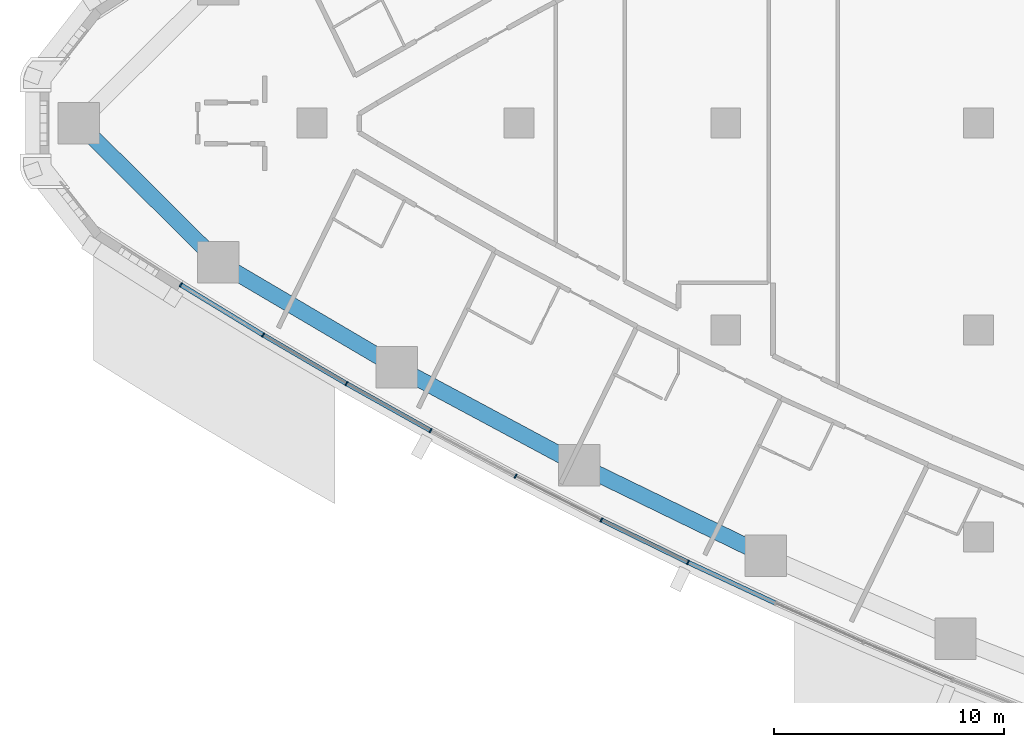
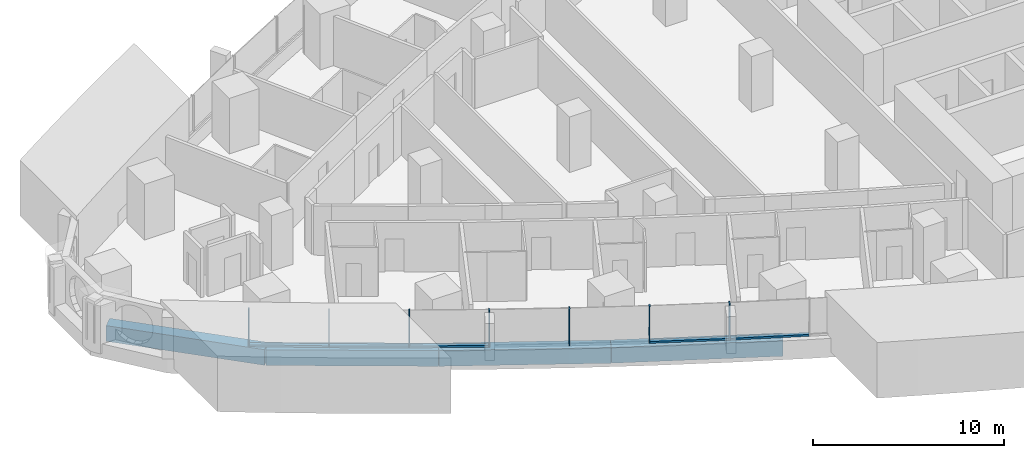
# One storey, part 2 of 19: 12 members, 4 beams, 3 elements without a shape of their own.
"""IFC4 building model written with IfcOpenShell, lengths in metres."""

from ifc_helpers import new_model, si_unit, direction, frame, origin, origin_2d, place, context, subcontext, project, spatial, rectangle, extrude, material, layer, layer_set, material_profile, profile_set, type_object, element, aggregate, save


model = new_model("IFC4")

# Units and contexts
model_context = context("Model", 3, precision=1e-05, world=origin(), true_north=direction((0.0, 1.0)))
body_context = subcontext(model_context, "Body", "Model", "MODEL_VIEW")
ifc_project = project(units=[si_unit("LENGTHUNIT", "METRE"), si_unit("AREAUNIT", "SQUARE_METRE"), si_unit("VOLUMEUNIT", "CUBIC_METRE"), si_unit("PLANEANGLEUNIT", "RADIAN"), si_unit("MASSUNIT", "GRAM", prefix="KILO")], contexts=[model_context])

# Site, building, storey
site_placement = place(None, origin())
site = spatial("IfcSite", under=ifc_project, at=site_placement, CompositionType="ELEMENT")
building_placement = place(site_placement, origin())
building = spatial("IfcBuilding", under=site, at=building_placement, Name="Ostrand Prow Hotel Tower", CompositionType="ELEMENT")
storey_placement = place(building_placement, frame((0.0, 0.0, 71.550048828125)))
storey = spatial("IfcBuildingStorey", under=building, at=storey_placement, Name="L16", CompositionType="ELEMENT", Elevation=71.550048828125)

# Beams
ifc_material_1 = material(Name="Concrete C80/95", Category="concrete")
ifc_material_profile_1 = material_profile(ifc_material_1, rectangle(XDim=0.699951171875, YDim=1.0, at=origin_2d()), Name="RC 700x1000")
ifc_profile_set_1 = profile_set([ifc_material_profile_1], Name="Concrete C80/95")
beam_type = type_object("IfcBeamType", Name="Edge beam 700x1000 C80/95", PredefinedType="SPANDREL", material=ifc_profile_set_1)
beam_1_placement = place(storey_placement, frame((5.848388671875, 0.0, -0.800048828125), z_axis=(0.709211674915, -0.70499560294, 0.0), x_axis=(0.70499560294, 0.709211674915, 0.0)))
element("IfcBeam", 1, at=beam_1_placement, inside=storey, type_object=beam_type, Name="Edge beam P-S1", PredefinedType="SPANDREL", context=body_context, shape_type="SweptSolid", body=[
    extrude(rectangle(XDim=0.699951171875, YDim=1.0, at=origin_2d()), origin(), (0.0, 0.0, 1.0), 8.5703125),
])
beam_2_placement = place(storey_placement, frame((11.926513671875, -6.0419921875, -0.800048828125), z_axis=(0.861725230108, -0.507375233722, 0.0), x_axis=(0.507375233722, 0.861725230108, 0.0)))
element("IfcBeam", 2, at=beam_2_placement, inside=storey, type_object=beam_type, Name="Edge beam S1-S2", PredefinedType="SPANDREL", context=body_context, shape_type="SweptSolid", body=[
    extrude(rectangle(XDim=0.699951171875, YDim=1.0, at=origin_2d()), origin(), (0.0, 0.0, 1.0), 9.012451171875),
])
beam_3_placement = place(storey_placement, frame((19.69287109375, -10.61474609375, -0.800048828125), z_axis=(0.881270074696, -0.472613008122, 0.0), x_axis=(0.472613008122, 0.881270074696, 0.0)))
element("IfcBeam", 3, at=beam_3_placement, inside=storey, type_object=beam_type, Name="Edge beam S2-S3", PredefinedType="SPANDREL", context=body_context, shape_type="SweptSolid", body=[
    extrude(rectangle(XDim=0.699951171875, YDim=1.0, at=origin_2d()), origin(), (0.0, 0.0, 1.0), 9.0126953125),
])
beam_4_placement = place(storey_placement, frame((27.635498046875, -14.874267578125, -0.800048828125), z_axis=(0.899382499202, -0.437162578601, 0.0), x_axis=(0.437162578601, 0.899382499202, 0.0)))
element("IfcBeam", 4, at=beam_4_placement, inside=storey, type_object=beam_type, Name="Edge beam S3-S4", PredefinedType="SPANDREL", context=body_context, shape_type="SweptSolid", body=[
    extrude(rectangle(XDim=0.699951171875, YDim=1.0, at=origin_2d()), origin(), (0.0, 0.0, 1.0), 9.012451171875),
])

# Curtain wall, members
ifc_material_2 = material(Name="Insulated glass in bronze anodised frame", Category="glass")
ifc_layer = layer(ifc_material_2, 0.199951171875)
ifc_layer_set = layer_set([ifc_layer], Name="Insulated glass in bronze anodised frame")
curtain_wall_type = type_object("IfcCurtainWallType", Name="Strip curtain wall, fritted glass over bronze spandrel", PredefinedType="NOTDEFINED", material=ifc_layer_set)
curtain_wall_1_placement = place(storey_placement, origin())
curtain_wall_1 = element("IfcCurtainWall", 5, at=curtain_wall_1_placement, inside=storey, type_object=curtain_wall_type, Name="CW1 run CWS1", PredefinedType="NOTDEFINED")
ifc_material_3 = material(Name="Bronze anodised aluminium", Category="aluminium")
ifc_material_profile_2 = material_profile(ifc_material_3, rectangle(XDim=0.199951171875, YDim=0.06005859375, at=origin_2d()), Name="Mullion 60x200 bronze anodised aluminium")
ifc_profile_set_2 = profile_set([ifc_material_profile_2], Name="Bronze anodised aluminium")
member_type_1 = type_object("IfcMemberType", Name="Mullion 60x200 bronze anodised aluminium", PredefinedType="MULLION", material=ifc_profile_set_2)
member_1_placement = place(storey_placement, frame((10.29443359375, -7.031494140625, 0.89990234375), z_axis=(0.0, 0.0, 1.0), x_axis=(0.519830761515, 0.854269266322, 0.0)))
member_1 = element("IfcMember", 6, at=member_1_placement, type_object=member_type_1, Name="CW1 mullion 1", PredefinedType="MULLION", context=body_context, shape_type="SweptSolid", body=[
    extrude(rectangle(XDim=0.199951171875, YDim=0.06005859375, at=origin_2d()), origin(), (0.0, 0.0, 1.0), 2.35009765625),
])
member_2_placement = place(storey_placement, frame((13.87744140625, -9.2119140625, 0.89990234375), z_axis=(0.0, 0.0, 1.0), x_axis=(0.50402272292, 0.863690392896, 0.0)))
member_2 = element("IfcMember", 7, at=member_2_placement, type_object=member_type_1, Name="CW1 mullion 2", PredefinedType="MULLION", context=body_context, shape_type="SweptSolid", body=[
    extrude(rectangle(XDim=0.199951171875, YDim=0.06005859375, at=origin_2d()), origin(), (0.0, 0.0, 1.0), 2.35009765625),
])
member_3_placement = place(storey_placement, frame((17.5, -11.325927734375, 0.89990234375), z_axis=(0.0, 0.0, 1.0), x_axis=(0.50402272292, 0.863690392896, 0.0)))
member_3 = element("IfcMember", 8, at=member_3_placement, type_object=member_type_1, Name="CW1 mullion 3", PredefinedType="MULLION", context=body_context, shape_type="SweptSolid", body=[
    extrude(rectangle(XDim=0.199951171875, YDim=0.06005859375, at=origin_2d()), origin(), (0.0, 0.0, 1.0), 2.35009765625),
])

curtain_wall_2_placement = place(storey_placement, origin())
curtain_wall_2 = element("IfcCurtainWall", 9, at=curtain_wall_2_placement, inside=storey, type_object=curtain_wall_type, Name="CW1 run CWS2", PredefinedType="NOTDEFINED")
member_4_placement = place(storey_placement, frame((21.160888671875, -13.372802734375, 0.89990234375), z_axis=(0.0, 0.0, 1.0), x_axis=(0.471899992481, 0.881652083929, 0.0)))
member_4 = element("IfcMember", 10, at=member_4_placement, type_object=member_type_1, Name="CW1 mullion 2", PredefinedType="MULLION", context=body_context, shape_type="SweptSolid", body=[
    extrude(rectangle(XDim=0.199951171875, YDim=0.06005859375, at=origin_2d()), origin(), (0.0, 0.0, 1.0), 2.35009765625),
])
member_5_placement = place(storey_placement, frame((24.858642578125, -15.35205078125, 0.89990234375), z_axis=(0.0, 0.0, 1.0), x_axis=(0.455596179055, 0.890186565631, 0.0)))
member_5 = element("IfcMember", 11, at=member_5_placement, type_object=member_type_1, Name="CW1 mullion 3", PredefinedType="MULLION", context=body_context, shape_type="SweptSolid", body=[
    extrude(rectangle(XDim=0.199951171875, YDim=0.06005859375, at=origin_2d()), origin(), (0.0, 0.0, 1.0), 2.35009765625),
])
member_6_placement = place(storey_placement, frame((28.59228515625, -17.262939453125, 0.89990234375), z_axis=(0.0, 0.0, 1.0), x_axis=(0.455596179055, 0.890186565631, 0.0)))
member_6 = element("IfcMember", 12, at=member_6_placement, type_object=member_type_1, Name="CW1 mullion 4", PredefinedType="MULLION", context=body_context, shape_type="SweptSolid", body=[
    extrude(rectangle(XDim=0.199951171875, YDim=0.06005859375, at=origin_2d()), origin(), (0.0, 0.0, 1.0), 2.35009765625),
])

# Curtain wall, member
curtain_wall_3_placement = place(storey_placement, origin())
curtain_wall_3 = element("IfcCurtainWall", 13, at=curtain_wall_3_placement, inside=storey, type_object=curtain_wall_type, Name="CW1 run CWS3", PredefinedType="NOTDEFINED")
member_7_placement = place(storey_placement, frame((32.360595703125, -19.10498046875, 0.89990234375), z_axis=(0.0, 0.0, 1.0), x_axis=(0.422529678615, 0.906349088757, 0.0)))
member_7 = element("IfcMember", 14, at=member_7_placement, type_object=member_type_1, Name="CW1 mullion 2", PredefinedType="MULLION", context=body_context, shape_type="SweptSolid", body=[
    extrude(rectangle(XDim=0.199951171875, YDim=0.06005859375, at=origin_2d()), origin(), (0.0, 0.0, 1.0), 2.35009765625),
])

# Member
ifc_material_4 = material(Name="Bronze anodised aluminium", Category="aluminium")
ifc_material_profile_3 = material_profile(ifc_material_4, rectangle(XDim=0.199951171875, YDim=0.1201171875, at=origin_2d()), Name="Transom 120x200 bronze anodised aluminium")
ifc_profile_set_3 = profile_set([ifc_material_profile_3], Name="Bronze anodised aluminium")
member_type_2 = type_object("IfcMemberType", Name="Transom 120x200 bronze anodised aluminium", PredefinedType="USERDEFINED", material=ifc_profile_set_3)
member_8_placement = place(storey_placement, frame((10.320068359375, -7.047119140625, 0.9599609375), z_axis=(0.8542612678, -0.519843905741, 0.0), x_axis=(0.519843905741, 0.8542612678, 0.0)))
member_8 = element("IfcMember", 15, at=member_8_placement, type_object=member_type_2, Name="CW1 transom 1.1", ObjectType="TRANSOM", PredefinedType="USERDEFINED", context=body_context, shape_type="SweptSolid", body=[
    extrude(rectangle(XDim=0.199951171875, YDim=0.1201171875, at=origin_2d()), origin(), (0.0, 0.0, 1.0), 4.13427734375),
])

member_9_placement = place(storey_placement, frame((13.9033203125, -9.22705078125, 0.9599609375), z_axis=(0.863697501622, -0.504010541251, 0.0), x_axis=(0.504010541251, 0.863697501622, 0.0)))
member_9 = element("IfcMember", 16, at=member_9_placement, type_object=member_type_2, Name="CW1 transom 2.1", ObjectType="TRANSOM", PredefinedType="USERDEFINED", context=body_context, shape_type="SweptSolid", body=[
    extrude(rectangle(XDim=0.199951171875, YDim=0.1201171875, at=origin_2d()), origin(), (0.0, 0.0, 1.0), 4.13427734375),
])

aggregate(curtain_wall_1, [member_1, member_2, member_3, member_8, member_9])

member_10_placement = place(storey_placement, frame((17.526123046875, -11.340576171875, 0.9599609375), z_axis=(0.872842137405, -0.488002667175, 0.0), x_axis=(0.488002667175, 0.872842137405, 0.0)))
member_10 = element("IfcMember", 17, at=member_10_placement, type_object=member_type_2, Name="CW1 transom 1.1", ObjectType="TRANSOM", PredefinedType="USERDEFINED", context=body_context, shape_type="SweptSolid", body=[
    extrude(rectangle(XDim=0.199951171875, YDim=0.1201171875, at=origin_2d()), origin(), (0.0, 0.0, 1.0), 4.13427734375),
])

aggregate(curtain_wall_2, [member_4, member_5, member_6, member_10])

member_11_placement = place(storey_placement, frame((28.619384765625, -17.276123046875, 0.9599609375), z_axis=(0.898395234758, -0.439187889364, 0.0), x_axis=(0.439187889364, 0.898395234758, 0.0)))
member_11 = element("IfcMember", 18, at=member_11_placement, type_object=member_type_2, Name="CW1 transom 1.1", ObjectType="TRANSOM", PredefinedType="USERDEFINED", context=body_context, shape_type="SweptSolid", body=[
    extrude(rectangle(XDim=0.199951171875, YDim=0.1201171875, at=origin_2d()), origin(), (0.0, 0.0, 1.0), 4.13427734375),
])

member_12_placement = place(storey_placement, frame((32.3876953125, -19.117431640625, 0.9599609375), z_axis=(0.906338458793, -0.422552479714, 0.0), x_axis=(0.422552479714, 0.906338458793, 0.0)))
member_12 = element("IfcMember", 19, at=member_12_placement, type_object=member_type_2, Name="CW1 transom 2.1", ObjectType="TRANSOM", PredefinedType="USERDEFINED", context=body_context, shape_type="SweptSolid", body=[
    extrude(rectangle(XDim=0.199951171875, YDim=0.1201171875, at=origin_2d()), origin(), (0.0, 0.0, 1.0), 4.134521484375),
])

aggregate(curtain_wall_3, [member_7, member_11, member_12])

save(model, "model.ifc")
